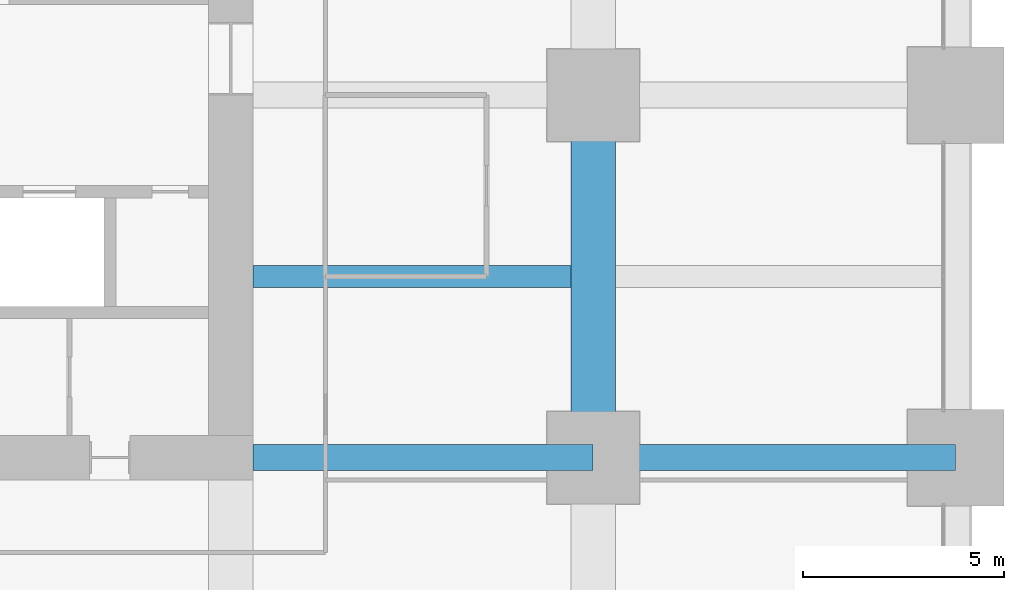
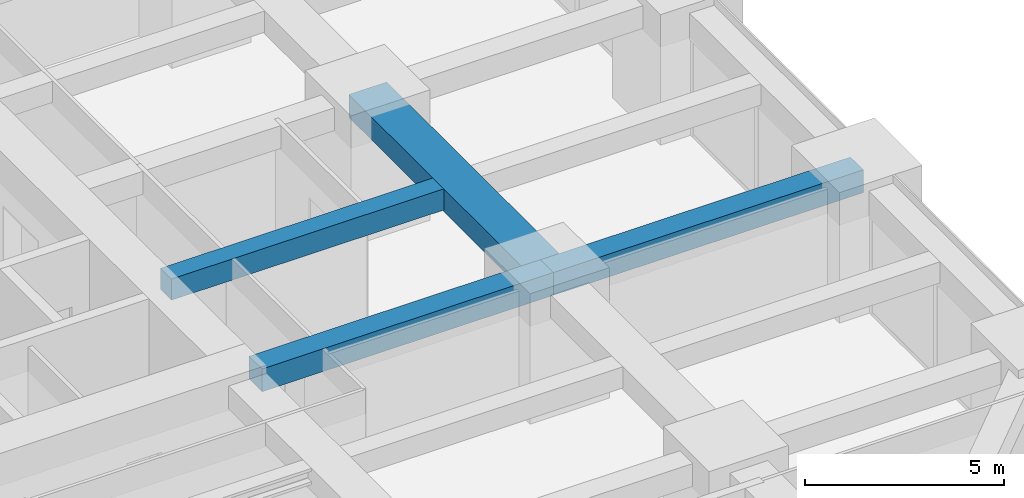
# One storey, part 19 of 44: 4 beams.
"""IFC4 building model written with IfcOpenShell, lengths in metres."""

import ifcopenshell
import ifcopenshell.guid

model = None  # the IFC model being written
_history = None  # IfcOwnerHistory: only IFC2X3 demands one
_inside = {}  # id of a spatial element -> (the spatial element, [elements in it])
_under = {}  # id of a project, library or spatial element -> (it, [spatial elements below it])
_declared = {}  # id of a project -> (the project, [libraries it declares])
_typed = {}  # id of a type object -> (the type object, [elements of that type])
_made_of = {}  # id of a material, layer set ... -> (it, [elements and type objects made of it])


def new_model(schema):
    """Start an empty IFC model of exactly this schema.

    Asked for "IFC4X3", IfcOpenShell would pick the latest addendum, in which some entities
    have other attributes; the version numbers below select the first issue.
    IFC2X3 requires an IfcOwnerHistory on every rooted entity: one is made here for all.
    """
    global model, _history
    if schema == "IFC4X3":
        model = ifcopenshell.file(schema_version=(4, 3, 0, 0))
    else:
        model = ifcopenshell.file(schema=schema)
    _inside.clear()
    _under.clear()
    _declared.clear()
    _typed.clear()
    _made_of.clear()
    _history = None
    if model.schema == "IFC2X3":
        org = make("IfcOrganization", Name="unknown")
        user = make(
            "IfcPersonAndOrganization",
            ThePerson=make("IfcPerson", FamilyName="unknown"),
            TheOrganization=org,
        )
        app = make(
            "IfcApplication",
            ApplicationDeveloper=org,
            Version="unknown",
            ApplicationFullName="unknown",
            ApplicationIdentifier="unknown",
        )
        _history = make(
            "IfcOwnerHistory",
            OwningUser=user,
            OwningApplication=app,
            ChangeAction="ADDED",
            CreationDate=0,
        )
    return model


def make(cls, **values):
    """One entity of the class cls with the attributes given. An attribute that is None is left unset."""
    return model.create_entity(
        cls, **{name: value for name, value in values.items() if value is not None}
    )


def rooted(cls, **values):
    """An entity with a GlobalId (a new one), such as an element, a storey or a relation."""
    return make(cls, GlobalId=ifcopenshell.guid.new(), OwnerHistory=_history, **values)


def si_unit(unit_type, name, prefix=None):
    """IfcSIUnit, for example si_unit("LENGTHUNIT", "METRE", prefix="MILLI")."""
    return make("IfcSIUnit", UnitType=unit_type, Prefix=prefix, Name=name)


def assignment(units):
    """IfcUnitAssignment: the units of a project."""
    return None if units is None else make("IfcUnitAssignment", Units=units)


def point(xyz):
    """IfcCartesianPoint."""
    return None if xyz is None else make("IfcCartesianPoint", Coordinates=xyz)


def direction(xyz):
    """IfcDirection."""
    return None if xyz is None else make("IfcDirection", DirectionRatios=xyz)


def frame(location, z_axis=None, x_axis=None):
    """IfcAxis2Placement3D, a coordinate frame: its origin and axes. An axis left out is left unset."""
    return make(
        "IfcAxis2Placement3D",
        Location=point(location),
        Axis=direction(z_axis),
        RefDirection=direction(x_axis),
    )


def frame_2d(location, x_axis=None):
    """IfcAxis2Placement2D, a coordinate frame in the plane: its origin and x axis."""
    return make(
        "IfcAxis2Placement2D", Location=point(location), RefDirection=direction(x_axis)
    )


def origin():
    """The frame at (0, 0, 0) with its axes left unset."""
    return frame((0.0, 0.0, 0.0))


def origin_2d():
    """The frame at (0, 0) in the plane with its x axis left unset."""
    return frame_2d((0.0, 0.0))


def place(relative_to, where):
    """IfcLocalPlacement: puts the frame where relative to a parent placement (None: the world)."""
    return make(
        "IfcLocalPlacement", PlacementRelTo=relative_to, RelativePlacement=where
    )


def context(
    kind, dimensions, precision=None, world=None, true_north=None, identifier=None
):
    """IfcGeometricRepresentationContext, for example the 3D "Model" context."""
    return make(
        "IfcGeometricRepresentationContext",
        ContextIdentifier=identifier,
        ContextType=kind,
        CoordinateSpaceDimension=dimensions,
        Precision=precision,
        WorldCoordinateSystem=world,
        TrueNorth=true_north,
    )


def subcontext(parent, identifier, kind, view, scale=None):
    """IfcGeometricRepresentationSubContext, for example "Body" below "Model"."""
    return make(
        "IfcGeometricRepresentationSubContext",
        ContextIdentifier=identifier,
        ContextType=kind,
        ParentContext=parent,
        TargetScale=scale,
        TargetView=view,
    )


def project(units=None, contexts=None):
    """IfcProject with its units and contexts."""
    return rooted(
        "IfcProject",
        Name="project",
        RepresentationContexts=contexts,
        UnitsInContext=assignment(units),
    )


def spatial(cls, under=None, at=None, **own):
    """A site, building, storey or space (cls), placed at a placement, below another one or the project."""
    s = rooted(cls, ObjectPlacement=at, **own)
    if under is not None:
        _under.setdefault(under.id(), (under, []))[1].append(s)
    return s


def profile(cls, at=None, kind="AREA", **sizes):
    """A parametric profile (cls). Its sizes go by their IFC names, for example OverallWidth=200.0."""
    return make(cls, ProfileType=kind, Position=at, **sizes)


def rectangle(**sizes):
    """IfcRectangleProfileDef."""
    return profile("IfcRectangleProfileDef", **sizes)


def extrude(swept, where, along, depth):
    """IfcExtrudedAreaSolid: the profile swept, set in the frame where, extruded along a direction by depth."""
    return make(
        "IfcExtrudedAreaSolid",
        SweptArea=swept,
        Position=where,
        ExtrudedDirection=direction(along),
        Depth=depth,
    )


def shape(context_of_items, identifier, shape_type, items):
    """IfcShapeRepresentation: the items that make up one representation, for example the "Body"."""
    return make(
        "IfcShapeRepresentation",
        ContextOfItems=context_of_items,
        RepresentationIdentifier=identifier,
        RepresentationType=shape_type,
        Items=items,
    )


def material(Name=None, Category=None):
    """IfcMaterial."""
    return make("IfcMaterial", Name=Name, Category=Category)


def material_profile(
    of_material, cross_section, Name=None, Category=None, Priority=None
):
    """IfcMaterialProfile: a cross section and its material."""
    return make(
        "IfcMaterialProfile",
        Name=Name,
        Material=of_material,
        Profile=cross_section,
        Priority=Priority,
        Category=Category,
    )


def profile_set(profiles, Name=None, composite=None):
    """IfcMaterialProfileSet."""
    return make(
        "IfcMaterialProfileSet",
        Name=Name,
        MaterialProfiles=profiles,
        CompositeProfile=composite,
    )


def made_of(thing, what):
    """Note that an element or type object is made of a material, layer set ...; save() writes the relation."""
    if what is not None:
        _made_of.setdefault(what.id(), (what, []))[1].append(thing)
    return thing


def type_object(cls, material=None, **own):
    """A type object (cls), such as IfcWallType, which elements share."""
    return made_of(rooted(cls, **own), material)


def element(
    cls,
    number,
    at=None,
    inside=None,
    cuts=None,
    type_object=None,
    material=None,
    context=None,
    identifier="Body",
    shape_type=None,
    held_by="IfcProductDefinitionShape",
    body=None,
    shapes=None,
    **own,
):
    """One element of the class cls, such as IfcWall. Its Tag is "e" and its number.

    at: its placement. inside: the storey or other place that contains it. cuts: it is an
    opening in that element (IfcRelVoidsElement). A single representation is given by context,
    identifier, shape_type and body (its items); several are given by shapes. held_by: the class
    of the entity that holds the representations. save() writes the other relations.
    """
    e = rooted(cls, Tag="e%d" % number, ObjectPlacement=at, **own)
    if body is not None:
        shapes = [shape(context, identifier, shape_type, body)]
    if shapes is not None:
        e.Representation = make(held_by, Representations=shapes)
    if inside is not None:
        _inside.setdefault(inside.id(), (inside, []))[1].append(e)
    if cuts is not None:
        rooted(
            "IfcRelVoidsElement", RelatingBuildingElement=cuts, RelatedOpeningElement=e
        )
    if type_object is not None:
        _typed.setdefault(type_object.id(), (type_object, []))[1].append(e)
    return made_of(e, material)


def aggregate(whole, parts):
    """IfcRelAggregates: a whole, such as a stair, and the parts it consists of."""
    return rooted("IfcRelAggregates", RelatingObject=whole, RelatedObjects=parts)


def save(model, path):
    """Write the relations noted so far, then the file.

    IfcRelAggregates (storeys below a building ...), IfcRelContainedInSpatialStructure (elements
    in a storey), IfcRelDefinesByType, IfcRelAssociatesMaterial and IfcRelDeclares: one each for
    every whole, place, type object, material and project.
    """
    for whole, parts in _under.values():
        aggregate(whole, parts)
    for where, things in _inside.values():
        rooted(
            "IfcRelContainedInSpatialStructure",
            RelatedElements=things,
            RelatingStructure=where,
        )
    for kind, things in _typed.values():
        rooted("IfcRelDefinesByType", RelatedObjects=things, RelatingType=kind)
    for what, things in _made_of.values():
        rooted("IfcRelAssociatesMaterial", RelatedObjects=things, RelatingMaterial=what)
    for by, libraries in _declared.values():
        rooted("IfcRelDeclares", RelatingContext=by, RelatedDefinitions=libraries)
    model.write(path)


model = new_model("IFC4")

# Units and contexts
model_context = context("Model", 3, precision=1e-05, world=origin(), true_north=direction((0.0, 1.0)))
body_context = subcontext(model_context, "Body", "Model", "MODEL_VIEW")
ifc_project = project(units=[si_unit("LENGTHUNIT", "METRE"), si_unit("AREAUNIT", "SQUARE_METRE"), si_unit("VOLUMEUNIT", "CUBIC_METRE"), si_unit("PLANEANGLEUNIT", "RADIAN"), si_unit("MASSUNIT", "GRAM", prefix="KILO")], contexts=[model_context])

# Site, building, storey
site_placement = place(None, origin())
site = spatial("IfcSite", under=ifc_project, at=site_placement, CompositionType="ELEMENT")
building_placement = place(site_placement, origin())
building = spatial("IfcBuilding", under=site, at=building_placement, Name="Zorevar Civic Tower", CompositionType="ELEMENT")
storey_placement = place(building_placement, frame((0.0, 0.0, 31.800048828125)))
storey = spatial("IfcBuildingStorey", under=building, at=storey_placement, Name="L07", CompositionType="ELEMENT", Elevation=31.800048828125)

# Beams
ifc_material_1 = material(Name="Concrete C50/60", Category="concrete")
ifc_material_profile_1 = material_profile(ifc_material_1, rectangle(XDim=1.10009765625, YDim=0.699951171875, at=origin_2d()), Name="RC 1100x700")
ifc_profile_set_1 = profile_set([ifc_material_profile_1], Name="Concrete C50/60")
beam_type_1 = type_object("IfcBeamType", Name="Beam RC 1100x700", PredefinedType="BEAM", material=ifc_profile_set_1)
beam_1_placement = place(storey_placement, frame((54.0, 18.0, 3.39990234375), z_axis=(0.0, 1.0, 0.0), x_axis=(-1.0, 0.0, 0.0)))
element("IfcBeam", 1, at=beam_1_placement, inside=storey, type_object=beam_type_1, Name="Girder L08", PredefinedType="BEAM", context=body_context, shape_type="SweptSolid", body=[
    extrude(rectangle(XDim=1.10009765625, YDim=0.699951171875, at=origin_2d()), origin(), (0.0, 0.0, 1.0), 9.0),
])
ifc_material_2 = material(Name="Concrete C50/60", Category="concrete")
ifc_material_profile_2 = material_profile(ifc_material_2, rectangle(XDim=0.550048828125, YDim=0.64990234375, at=origin_2d()), Name="RC 550x650")
ifc_profile_set_2 = profile_set([ifc_material_profile_2], Name="Concrete C50/60")
beam_type_2 = type_object("IfcBeamType", Name="Beam RC 550x650", PredefinedType="BEAM", material=ifc_profile_set_2)
beam_2_placement = place(storey_placement, frame((45.550048828125, 22.5, 3.425048828125), z_axis=(1.0, 0.0, 0.0), x_axis=(0.0, 1.0, 0.0)))
element("IfcBeam", 2, at=beam_2_placement, inside=storey, type_object=beam_type_2, Name="Secondary beam L08", PredefinedType="BEAM", context=body_context, shape_type="SweptSolid", body=[
    extrude(rectangle(XDim=0.550048828125, YDim=0.64990234375, at=origin_2d()), origin(), (0.0, 0.0, 1.0), 7.89990234375),
])
ifc_material_3 = material(Name="Concrete C50/60", Category="concrete")
ifc_material_profile_3 = material_profile(ifc_material_3, rectangle(XDim=0.64990234375, YDim=0.699951171875, at=origin_2d()), Name="RC 650x700")
ifc_profile_set_3 = profile_set([ifc_material_profile_3], Name="Concrete C50/60")
beam_type_3 = type_object("IfcBeamType", Name="Beam RC 650x700", PredefinedType="BEAM", material=ifc_profile_set_3)
beam_3_placement = place(storey_placement, frame((45.550048828125, 18.0, 3.39990234375), z_axis=(1.0, 0.0, 0.0), x_axis=(0.0, 1.0, 0.0)))
element("IfcBeam", 3, at=beam_3_placement, inside=storey, type_object=beam_type_3, Name="Girder L08", PredefinedType="BEAM", context=body_context, shape_type="SweptSolid", body=[
    extrude(rectangle(XDim=0.64990234375, YDim=0.699951171875, at=origin_2d()), origin(), (0.0, 0.0, 1.0), 8.449951171875),
])
beam_4_placement = place(storey_placement, frame((54.0, 18.0, 3.39990234375), z_axis=(1.0, 0.0, 0.0), x_axis=(0.0, 1.0, 0.0)))
element("IfcBeam", 4, at=beam_4_placement, inside=storey, type_object=beam_type_3, Name="Girder L08", PredefinedType="BEAM", context=body_context, shape_type="SweptSolid", body=[
    extrude(rectangle(XDim=0.64990234375, YDim=0.699951171875, at=origin_2d()), origin(), (0.0, 0.0, 1.0), 9.0),
])

save(model, "model.ifc")
